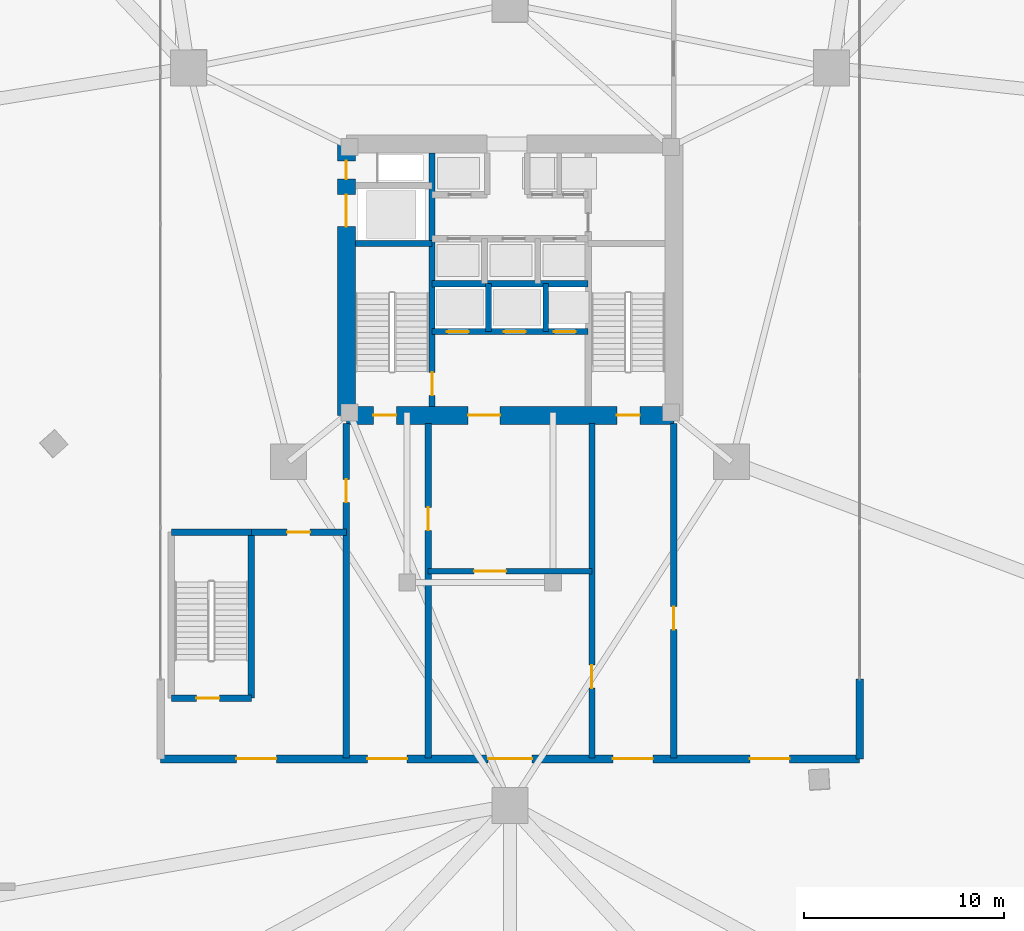
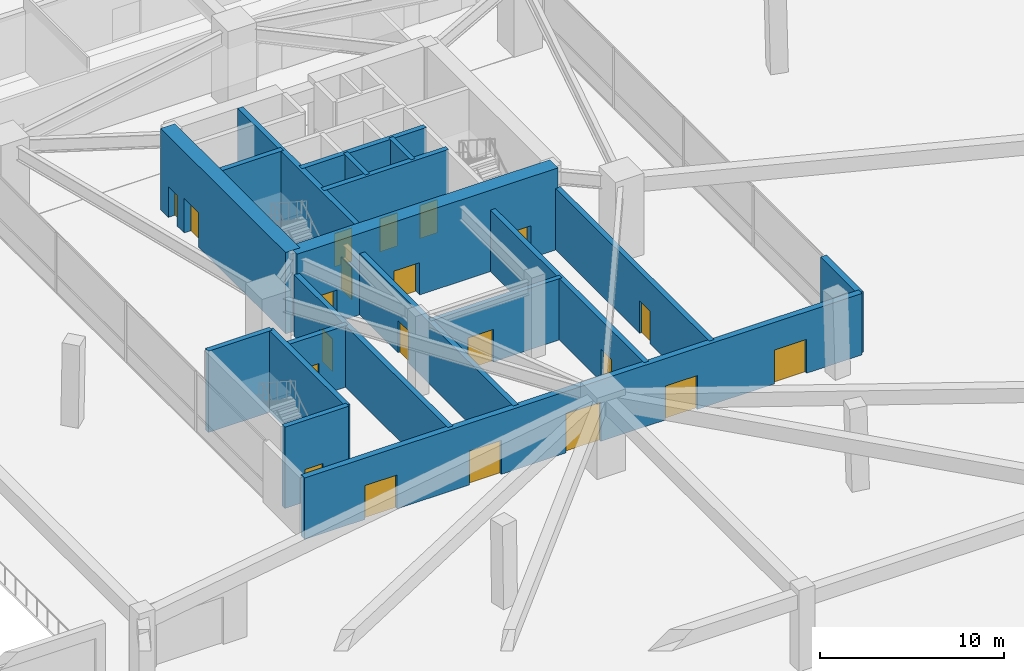
# One storey, part 12 of 19: 21 doors, 19 walls, 21 openings.
"""IFC4 building model written with IfcOpenShell, lengths in metres."""

from ifc_helpers import new_model, si_unit, direction, frame, frame_2d, origin, place, context, subcontext, project, spatial, rectangle, extrude, material, layer, layer_set, type_object, element, fill, save


model = new_model("IFC4")

# Units and contexts
model_context = context("Model", 3, precision=1e-05, world=origin(), true_north=direction((0.0, 1.0)))
body_context = subcontext(model_context, "Body", "Model", "MODEL_VIEW")
ifc_project = project(units=[si_unit("LENGTHUNIT", "METRE"), si_unit("AREAUNIT", "SQUARE_METRE"), si_unit("VOLUMEUNIT", "CUBIC_METRE"), si_unit("PLANEANGLEUNIT", "RADIAN"), si_unit("MASSUNIT", "GRAM", prefix="KILO")], contexts=[model_context])

# Site, building, storey
site_placement = place(None, origin())
site = spatial("IfcSite", under=ifc_project, at=site_placement, CompositionType="ELEMENT")
building_placement = place(site_placement, origin())
building = spatial("IfcBuilding", under=site, at=building_placement, Name="Talyreon Biosciences Tower", CompositionType="ELEMENT")
storey_placement = place(building_placement, origin())
storey = spatial("IfcBuildingStorey", under=building, at=storey_placement, Name="L00", CompositionType="ELEMENT", Elevation=0.0)

# Walls
ifc_material_1 = material(Name="Concrete C50/60", Category="concrete")
ifc_layer_1 = layer(ifc_material_1, 0.280029296875)
ifc_layer_set_1 = layer_set([ifc_layer_1], Name="Concrete C50/60")
wall_type_1 = type_object("IfcWallType", Name="CoreShearWall_280", PredefinedType="SHEAR", material=ifc_layer_set_1)
for number, where, z_axis, x_axis, name in (
    (1, (64.919921875, 65.39990234375, 0.0), (0.0, 0.0, 1.0), (0.0, 1.0, 0.0), "L00 Core Shaft Wall SWSHD1"),
    (2, (67.780029296875, 65.39990234375, 0.0), (0.0, 0.0, 1.0), (0.0, 1.0, 0.0), "L00 Core Shaft Wall SWSHD2"),
):
    element("IfcWall", number, at=place(storey_placement, frame(where, z_axis=z_axis, x_axis=x_axis)), inside=storey, type_object=wall_type_1, Name=name, PredefinedType="SHEAR", context=body_context, shape_type="SweptSolid", body=[
        extrude(rectangle(XDim=2.400146484375, YDim=0.280029296875, at=frame_2d((1.2001953125, 0.0))), origin(), (0.0, 0.0, 1.0), 5.39990234375),
    ])

# Wall, opening, door
ifc_layer_2 = layer(ifc_material_1, 0.320068359375)
ifc_layer_set_2 = layer_set([ifc_layer_2], Name="Concrete C50/60")
wall_type_2 = type_object("IfcWallType", Name="CoreShearWall_320", PredefinedType="SHEAR", material=ifc_layer_set_2)
wall_1_placement = place(storey_placement, frame((62.090087890625, 61.64990234375, 0.0), z_axis=(0.0, 0.0, 1.0), x_axis=(0.0, 1.0, 0.0)))
wall_1 = element("IfcWall", 3, at=wall_1_placement, inside=storey, type_object=wall_type_2, Name="L00 Core Shaft Wall SW1E", PredefinedType="SHEAR", context=body_context, shape_type="SweptSolid", body=[
    extrude(rectangle(XDim=12.7001953125, YDim=0.320068359375, at=frame_2d((6.35009765625, 0.0))), origin(), (0.0, 0.0, 1.0), 5.39990234375),
])
opening_1_placement = place(wall_1_placement, frame((0.550048828125, 0.0, 0.0)))
opening_1 = element("IfcOpeningElement", 4, at=opening_1_placement, cuts=wall_1, Name="Opening DR-L00-FF-ST1", PredefinedType="OPENING", context=body_context, shape_type="SweptSolid", body=[
    extrude(rectangle(XDim=1.14990234375, YDim=2.14990234375, at=frame_2d((0.574951171875, 1.074951171875))), frame((0.0, 0.169921875, 0.0), z_axis=(0.0, -1.0, 0.0), x_axis=(1.0, 0.0, 0.0)), (0.0, 0.0, 1.0), 0.340087890625),
])
ifc_material_2 = material(Name="Painted steel fire door", Category="steel")
door_type_1 = type_object("IfcDoorType", Name="StairShaftFireDoor_1150x2150", OperationType="NOTDEFINED", PredefinedType="DOOR", material=ifc_material_2)
door_1_placement = place(opening_1_placement, origin())
door_1 = element("IfcDoor", 5, at=door_1_placement, inside=storey, type_object=door_type_1, Name="L00 Core Door DR-L00-FF-ST1", OperationType="SINGLE_SWING_LEFT", OverallHeight=2.14990234375, OverallWidth=1.14990234375, PredefinedType="DOOR", context=body_context, shape_type="SweptSolid", body=[
    extrude(rectangle(XDim=1.14990234375, YDim=2.14990234375, at=frame_2d((0.574951171875, 1.074951171875))), frame((0.0, 0.02490234375, 0.0), z_axis=(0.0, -1.0, 0.0), x_axis=(1.0, 0.0, 0.0)), (0.0, 0.0, 1.0), 0.050048828125),
])
fill(opening_1, door_1)

# Walls
wall_2_placement = place(storey_placement, frame((58.25, 69.81005859375, 0.0), z_axis=(0.0, 0.0, 1.0), x_axis=(1.0, 0.0, 0.0)))
element("IfcWall", 6, at=wall_2_placement, inside=storey, type_object=wall_type_2, Name="L00 Core Shaft Wall SW1N", PredefinedType="SHEAR", context=body_context, shape_type="SweptSolid", body=[
    extrude(rectangle(XDim=3.840087890625, YDim=0.320068359375, at=frame_2d((1.919921875, 0.0))), origin(), (0.0, 0.0, 1.0), 5.39990234375),
])
wall_3_placement = place(storey_placement, frame((62.090087890625, 67.800048828125, 0.0), z_axis=(0.0, 0.0, 1.0), x_axis=(1.0, 0.0, 0.0)))
element("IfcWall", 7, at=wall_3_placement, inside=storey, type_object=wall_type_2, Name="L00 Core Shaft Wall SWSHM", PredefinedType="SHEAR", context=body_context, shape_type="SweptSolid", body=[
    extrude(rectangle(XDim=7.81982421875, YDim=0.320068359375, at=frame_2d((3.909912109375, 0.0))), origin(), (0.0, 0.0, 1.0), 5.39990234375),
])

# Wall, openings, doors
wall_4_placement = place(storey_placement, frame((62.090087890625, 65.39990234375, 0.0), z_axis=(0.0, 0.0, 1.0), x_axis=(1.0, 0.0, 0.0)))
wall_4 = element("IfcWall", 8, at=wall_4_placement, inside=storey, type_object=wall_type_2, Name="L00 Core Shaft Wall SWFFN", PredefinedType="SHEAR", context=body_context, shape_type="SweptSolid", body=[
    extrude(rectangle(XDim=7.81982421875, YDim=0.320068359375, at=frame_2d((3.909912109375, 0.0))), origin(), (0.0, 0.0, 1.0), 5.39990234375),
])
opening_2_placement = place(wall_4_placement, frame((6.10009765625, 0.0, 0.0)))
opening_2 = element("IfcOpeningElement", 9, at=opening_2_placement, cuts=wall_4, Name="Opening LD-L00-PK1", PredefinedType="OPENING", context=body_context, shape_type="SweptSolid", body=[
    extrude(rectangle(XDim=1.10009765625, YDim=2.199951171875, at=frame_2d((0.550048828125, 1.10009765625))), frame((0.0, 0.169921875, 0.0), z_axis=(0.0, -1.0, 0.0), x_axis=(1.0, 0.0, 0.0)), (0.0, 0.0, 1.0), 0.340087890625),
])
opening_3_placement = place(wall_4_placement, frame((0.75, 0.0, 0.0)))
opening_3 = element("IfcOpeningElement", 10, at=opening_3_placement, cuts=wall_4, Name="Opening LD-L00-FL1", PredefinedType="OPENING", context=body_context, shape_type="SweptSolid", body=[
    extrude(rectangle(XDim=1.10009765625, YDim=2.199951171875, at=frame_2d((0.550048828125, 1.10009765625))), frame((0.0, 0.169921875, 0.0), z_axis=(0.0, -1.0, 0.0), x_axis=(1.0, 0.0, 0.0)), (0.0, 0.0, 1.0), 0.340087890625),
])
opening_4_placement = place(wall_4_placement, frame((3.60009765625, 0.0, 0.0)))
opening_4 = element("IfcOpeningElement", 11, at=opening_4_placement, cuts=wall_4, Name="Opening LD-L00-FL2", PredefinedType="OPENING", context=body_context, shape_type="SweptSolid", body=[
    extrude(rectangle(XDim=1.10009765625, YDim=2.199951171875, at=frame_2d((0.550048828125, 1.10009765625))), frame((0.0, 0.169921875, 0.0), z_axis=(0.0, -1.0, 0.0), x_axis=(1.0, 0.0, 0.0)), (0.0, 0.0, 1.0), 0.340087890625),
])
ifc_material_3 = material(Name="Brushed stainless-steel lift landing door", Category="steel")
door_type_2 = type_object("IfcDoorType", Name="LiftSlidingLandingDoor_1100x2200", OperationType="SLIDING_TO_LEFT", PredefinedType="DOOR", material=ifc_material_3)
door_2_placement = place(opening_2_placement, origin())
door_2 = element("IfcDoor", 12, at=door_2_placement, inside=storey, type_object=door_type_2, Name="L00 Core Door LD-L00-PK1", OperationType="SLIDING_TO_LEFT", OverallHeight=2.199951171875, OverallWidth=1.10009765625, PredefinedType="DOOR", context=body_context, shape_type="SweptSolid", body=[
    extrude(rectangle(XDim=1.10009765625, YDim=2.199951171875, at=frame_2d((0.550048828125, 1.10009765625))), frame((0.0, 0.02490234375, 0.0), z_axis=(0.0, -1.0, 0.0), x_axis=(1.0, 0.0, 0.0)), (0.0, 0.0, 1.0), 0.050048828125),
])
fill(opening_2, door_2)
door_3_placement = place(opening_3_placement, origin())
door_3 = element("IfcDoor", 13, at=door_3_placement, inside=storey, type_object=door_type_2, Name="L00 Core Door LD-L00-FL1", OperationType="SLIDING_TO_LEFT", OverallHeight=2.199951171875, OverallWidth=1.10009765625, PredefinedType="DOOR", context=body_context, shape_type="SweptSolid", body=[
    extrude(rectangle(XDim=1.10009765625, YDim=2.199951171875, at=frame_2d((0.550048828125, 1.10009765625))), frame((0.0, 0.02490234375, 0.0), z_axis=(0.0, -1.0, 0.0), x_axis=(1.0, 0.0, 0.0)), (0.0, 0.0, 1.0), 0.050048828125),
])
fill(opening_3, door_3)
door_4_placement = place(opening_4_placement, origin())
door_4 = element("IfcDoor", 14, at=door_4_placement, inside=storey, type_object=door_type_2, Name="L00 Core Door LD-L00-FL2", OperationType="SLIDING_TO_LEFT", OverallHeight=2.199951171875, OverallWidth=1.10009765625, PredefinedType="DOOR", context=body_context, shape_type="SweptSolid", body=[
    extrude(rectangle(XDim=1.10009765625, YDim=2.199951171875, at=frame_2d((0.550048828125, 1.10009765625))), frame((0.0, 0.02490234375, 0.0), z_axis=(0.0, -1.0, 0.0), x_axis=(1.0, 0.0, 0.0)), (0.0, 0.0, 1.0), 0.050048828125),
])
fill(opening_4, door_4)

# Walls
wall_5_placement = place(storey_placement, frame((53.0400390625, 47.0400390625, 0.0), z_axis=(0.0, 0.0, 1.0), x_axis=(0.0, 1.0, 0.0)))
element("IfcWall", 15, at=wall_5_placement, inside=storey, type_object=wall_type_2, Name="L00 Stair ST-3 Structural Wall E", PredefinedType="SHEAR", context=body_context, shape_type="SweptSolid", body=[
    extrude(rectangle(XDim=8.320068359375, YDim=0.320068359375, at=frame_2d((4.16015625, 0.0))), origin(), (0.0, 0.0, 1.0), 5.39990234375),
])
wall_6_placement = place(storey_placement, frame((49.0400390625, 55.360107421875, 0.0), z_axis=(0.0, 0.0, 1.0), x_axis=(1.0, 0.0, 0.0)))
element("IfcWall", 16, at=wall_6_placement, inside=storey, type_object=wall_type_2, Name="L00 Stair ST-3 Structural Wall N", PredefinedType="SHEAR", context=body_context, shape_type="SweptSolid", body=[
    extrude(rectangle(XDim=4.0, YDim=0.320068359375, at=frame_2d((2.0, 0.0))), origin(), (0.0, 0.0, 1.0), 5.39990234375),
])

# Wall, opening, door
wall_7_placement = place(storey_placement, frame((49.0400390625, 47.0400390625, 0.0), z_axis=(0.0, 0.0, 1.0), x_axis=(1.0, 0.0, 0.0)))
wall_7 = element("IfcWall", 17, at=wall_7_placement, inside=storey, type_object=wall_type_2, Name="L00 Stair ST-3 Structural Wall S", PredefinedType="SHEAR", context=body_context, shape_type="SweptSolid", body=[
    extrude(rectangle(XDim=4.0, YDim=0.320068359375, at=frame_2d((2.0, 0.0))), origin(), (0.0, 0.0, 1.0), 5.39990234375),
])
opening_5_placement = place(wall_7_placement, frame((1.25, 0.0, 0.0)))
opening_5 = element("IfcOpeningElement", 18, at=opening_5_placement, cuts=wall_7, Name="Opening DR-L00-ST3", PredefinedType="OPENING", context=body_context, shape_type="SweptSolid", body=[
    extrude(rectangle(XDim=1.14990234375, YDim=2.14990234375, at=frame_2d((0.574951171875, 1.074951171875))), frame((0.0, 0.169921875, 0.0), z_axis=(0.0, -1.0, 0.0), x_axis=(1.0, 0.0, 0.0)), (0.0, 0.0, 1.0), 0.340087890625),
])
door_5_placement = place(opening_5_placement, origin())
door_5 = element("IfcDoor", 19, at=door_5_placement, inside=storey, type_object=door_type_1, Name="L00 Core Door DR-L00-ST3", OperationType="SINGLE_SWING_LEFT", OverallHeight=2.14990234375, OverallWidth=1.14990234375, PredefinedType="DOOR", context=body_context, shape_type="SweptSolid", body=[
    extrude(rectangle(XDim=1.14990234375, YDim=2.14990234375, at=frame_2d((0.574951171875, 1.074951171875))), frame((0.0, 0.02490234375, 0.0), z_axis=(0.0, -1.0, 0.0), x_axis=(1.0, 0.0, 0.0)), (0.0, 0.0, 1.0), 0.050048828125),
])
fill(opening_5, door_5)

# Wall, openings, doors
ifc_material_4 = material(Name="Concrete C60/75", Category="concrete")
ifc_layer_3 = layer(ifc_material_4, 0.89990234375)
ifc_layer_set_3 = layer_set([ifc_layer_3], Name="Concrete C60/75")
wall_type_3 = type_object("IfcWallType", Name="CoreShearWall_900", PredefinedType="SHEAR", material=ifc_layer_set_3)
wall_8_placement = place(storey_placement, frame((57.800048828125, 61.199951171875, 0.0), z_axis=(0.0, 0.0, 1.0), x_axis=(1.0, 0.0, 0.0)))
wall_8 = element("IfcWall", 20, at=wall_8_placement, inside=storey, type_object=wall_type_3, Name="L00 Core Shear Wall S", PredefinedType="SHEAR", context=body_context, shape_type="SweptSolid", body=[
    extrude(rectangle(XDim=16.39990234375, YDim=0.89990234375, at=frame_2d((8.199951171875, 0.0))), origin(), (0.0, 0.0, 1.0), 5.39990234375),
])
opening_6_placement = place(wall_8_placement, frame((1.35009765625, 0.0, 0.0)))
opening_6 = element("IfcOpeningElement", 21, at=opening_6_placement, cuts=wall_8, Name="Opening DR-L00-ST1", PredefinedType="OPENING", context=body_context, shape_type="SweptSolid", body=[
    extrude(rectangle(XDim=1.14990234375, YDim=2.14990234375, at=frame_2d((0.574951171875, 1.074951171875))), frame((0.0, 0.4599609375, 0.0), z_axis=(0.0, -1.0, 0.0), x_axis=(1.0, 0.0, 0.0)), (0.0, 0.0, 1.0), 0.919921875),
])
opening_7_placement = place(wall_8_placement, frame((6.10009765625, 0.0, 0.0)))
opening_7 = element("IfcOpeningElement", 22, at=opening_7_placement, cuts=wall_8, Name="Opening DR-L00-FFL", PredefinedType="OPENING", context=body_context, shape_type="SweptSolid", body=[
    extrude(rectangle(XDim=1.60009765625, YDim=2.14990234375, at=frame_2d((0.800048828125, 1.074951171875))), frame((0.0, 0.4599609375, 0.0), z_axis=(0.0, -1.0, 0.0), x_axis=(1.0, 0.0, 0.0)), (0.0, 0.0, 1.0), 0.919921875),
])
opening_8_placement = place(wall_8_placement, frame((13.550048828125, 0.0, 0.0)))
opening_8 = element("IfcOpeningElement", 23, at=opening_8_placement, cuts=wall_8, Name="Opening DR-L00-ST2", PredefinedType="OPENING", context=body_context, shape_type="SweptSolid", body=[
    extrude(rectangle(XDim=1.14990234375, YDim=2.14990234375, at=frame_2d((0.574951171875, 1.074951171875))), frame((0.0, 0.4599609375, 0.0), z_axis=(0.0, -1.0, 0.0), x_axis=(1.0, 0.0, 0.0)), (0.0, 0.0, 1.0), 0.919921875),
])
ifc_material_5 = material(Name="Painted steel smoke-seal fire door", Category="steel")
door_type_3 = type_object("IfcDoorType", Name="FirefightingLobbyDoubleDoor_1600x2150", OperationType="DOUBLE_DOOR_SINGLE_SWING", PredefinedType="DOOR", material=ifc_material_5)
door_6_placement = place(opening_7_placement, origin())
door_6 = element("IfcDoor", 24, at=door_6_placement, inside=storey, type_object=door_type_3, Name="L00 Core Door DR-L00-FFL", OperationType="DOUBLE_DOOR_SINGLE_SWING", OverallHeight=2.14990234375, OverallWidth=1.60009765625, PredefinedType="DOOR", context=body_context, shape_type="SweptSolid", body=[
    extrude(rectangle(XDim=1.60009765625, YDim=2.14990234375, at=frame_2d((0.800048828125, 1.074951171875))), frame((0.0, 0.02490234375, 0.0), z_axis=(0.0, -1.0, 0.0), x_axis=(1.0, 0.0, 0.0)), (0.0, 0.0, 1.0), 0.050048828125),
])
fill(opening_7, door_6)
door_7_placement = place(opening_6_placement, origin())
door_7 = element("IfcDoor", 25, at=door_7_placement, inside=storey, type_object=door_type_1, Name="L00 Core Door DR-L00-ST1", OperationType="SINGLE_SWING_LEFT", OverallHeight=2.14990234375, OverallWidth=1.14990234375, PredefinedType="DOOR", context=body_context, shape_type="SweptSolid", body=[
    extrude(rectangle(XDim=1.14990234375, YDim=2.14990234375, at=frame_2d((0.574951171875, 1.074951171875))), frame((0.0, 0.02490234375, 0.0), z_axis=(0.0, -1.0, 0.0), x_axis=(1.0, 0.0, 0.0)), (0.0, 0.0, 1.0), 0.050048828125),
])
fill(opening_6, door_7)
door_8_placement = place(opening_8_placement, origin())
door_8 = element("IfcDoor", 26, at=door_8_placement, inside=storey, type_object=door_type_1, Name="L00 Core Door DR-L00-ST2", OperationType="SINGLE_SWING_RIGHT", OverallHeight=2.14990234375, OverallWidth=1.14990234375, PredefinedType="DOOR", context=body_context, shape_type="SweptSolid", body=[
    extrude(rectangle(XDim=1.14990234375, YDim=2.14990234375, at=frame_2d((0.574951171875, 1.074951171875))), frame((0.0, 0.02490234375, 0.0), z_axis=(0.0, -1.0, 0.0), x_axis=(1.0, 0.0, 0.0)), (0.0, 0.0, 1.0), 0.050048828125),
])
fill(opening_8, door_8)

wall_9_placement = place(storey_placement, frame((57.800048828125, 74.800048828125, 0.0), z_axis=(0.0, 0.0, 1.0), x_axis=(0.0, -1.0, 0.0)))
wall_9 = element("IfcWall", 27, at=wall_9_placement, inside=storey, type_object=wall_type_3, Name="L00 Core Shear Wall W", PredefinedType="SHEAR", context=body_context, shape_type="SweptSolid", body=[
    extrude(rectangle(XDim=13.60009765625, YDim=0.89990234375, at=frame_2d((6.800048828125, 0.0))), origin(), (0.0, 0.0, 1.0), 5.39990234375),
])
opening_9_placement = place(wall_9_placement, frame((0.85009765625, 0.0, 0.0)))
opening_9 = element("IfcOpeningElement", 28, at=opening_9_placement, cuts=wall_9, Name="Opening DR-L00-RSW", PredefinedType="OPENING", context=body_context, shape_type="SweptSolid", body=[
    extrude(rectangle(XDim=0.919921875, YDim=2.050048828125, at=frame_2d((0.4599609375, 1.02490234375))), frame((0.0, 0.4599609375, 0.0), z_axis=(0.0, -1.0, 0.0), x_axis=(1.0, 0.0, 0.0)), (0.0, 0.0, 1.0), 0.919921875),
])
opening_10_placement = place(wall_9_placement, frame((2.550048828125, 0.0, 0.0)))
opening_10 = element("IfcOpeningElement", 29, at=opening_10_placement, cuts=wall_9, Name="Opening LD-L00-GL1", PredefinedType="OPENING", context=body_context, shape_type="SweptSolid", body=[
    extrude(rectangle(XDim=1.60009765625, YDim=2.300048828125, at=frame_2d((0.800048828125, 1.14990234375))), frame((0.0, 0.4599609375, 0.0), z_axis=(0.0, -1.0, 0.0), x_axis=(1.0, 0.0, 0.0)), (0.0, 0.0, 1.0), 0.919921875),
])
ifc_material_6 = material(Name="Heavy-duty stainless-steel goods lift door", Category="steel")
door_type_4 = type_object("IfcDoorType", Name="GoodsLiftSlidingDoor_1600x2300", OperationType="DOUBLE_DOOR_SLIDING", PredefinedType="DOOR", material=ifc_material_6)
door_9_placement = place(opening_10_placement, origin())
door_9 = element("IfcDoor", 30, at=door_9_placement, inside=storey, type_object=door_type_4, Name="L00 Core Door LD-L00-GL1", OperationType="DOUBLE_DOOR_SLIDING", OverallHeight=2.300048828125, OverallWidth=1.60009765625, PredefinedType="DOOR", context=body_context, shape_type="SweptSolid", body=[
    extrude(rectangle(XDim=1.60009765625, YDim=2.300048828125, at=frame_2d((0.800048828125, 1.14990234375))), frame((0.0, 0.02490234375, 0.0), z_axis=(0.0, -1.0, 0.0), x_axis=(1.0, 0.0, 0.0)), (0.0, 0.0, 1.0), 0.050048828125),
])
fill(opening_10, door_9)
ifc_material_7 = material(Name="Painted steel fire-rated riser door", Category="steel")
door_type_5 = type_object("IfcDoorType", Name="RiserPlantAccessDoor_920x2050", OperationType="NOTDEFINED", PredefinedType="DOOR", material=ifc_material_7)
door_10_placement = place(opening_9_placement, origin())
door_10 = element("IfcDoor", 31, at=door_10_placement, inside=storey, type_object=door_type_5, Name="L00 Core Door DR-L00-RSW", OperationType="SINGLE_SWING_LEFT", OverallHeight=2.050048828125, OverallWidth=0.919921875, PredefinedType="DOOR", context=body_context, shape_type="SweptSolid", body=[
    extrude(rectangle(XDim=0.919921875, YDim=2.050048828125, at=frame_2d((0.4599609375, 1.02490234375))), frame((0.0, 0.02490234375, 0.0), z_axis=(0.0, -1.0, 0.0), x_axis=(1.0, 0.0, 0.0)), (0.0, 0.0, 1.0), 0.050048828125),
])
fill(opening_9, door_10)

# Wall, opening, door
ifc_material_8 = material(Name="Concrete C40/50", Category="concrete")
ifc_layer_4 = layer(ifc_material_8, 0.280029296875)
ifc_layer_set_4 = layer_set([ifc_layer_4], Name="Concrete C40/50")
wall_type_4 = type_object("IfcWallType", Name="FireLobbyWall_280", PredefinedType="STANDARD", material=ifc_layer_set_4)
wall_10_placement = place(storey_placement, frame((61.89990234375, 53.39990234375, 0.0), z_axis=(0.0, 0.0, 1.0), x_axis=(1.0, 0.0, 0.0)))
wall_10 = element("IfcWall", 32, at=wall_10_placement, inside=storey, type_object=wall_type_4, Name="L00 Interior Wall IW-L00-FCC-S", PredefinedType="STANDARD", context=body_context, shape_type="SweptSolid", body=[
    extrude(rectangle(XDim=8.2001953125, YDim=0.280029296875, at=frame_2d((4.10009765625, 0.0))), origin(), (0.0, 0.0, 1.0), 4.080078125),
])
opening_11_placement = place(wall_10_placement, frame((2.300048828125, 0.0, 0.0)))
opening_11 = element("IfcOpeningElement", 33, at=opening_11_placement, cuts=wall_10, Name="Opening DR-L00-FCC-S", PredefinedType="OPENING", context=body_context, shape_type="SweptSolid", body=[
    extrude(rectangle(XDim=1.60009765625, YDim=2.14990234375, at=frame_2d((0.800048828125, 1.074951171875))), frame((0.0, 0.14990234375, 0.0), z_axis=(0.0, -1.0, 0.0), x_axis=(1.0, 0.0, 0.0)), (0.0, 0.0, 1.0), 0.300048828125),
])
door_11_placement = place(opening_11_placement, origin())
door_11 = element("IfcDoor", 34, at=door_11_placement, inside=storey, type_object=door_type_3, Name="L00 Interior Door DR-L00-FCC-S", OperationType="DOUBLE_DOOR_SINGLE_SWING", OverallHeight=2.14990234375, OverallWidth=1.60009765625, PredefinedType="DOOR", context=body_context, shape_type="SweptSolid", body=[
    extrude(rectangle(XDim=1.60009765625, YDim=2.14990234375, at=frame_2d((0.800048828125, 1.074951171875))), frame((0.0, 0.02490234375, 0.0), z_axis=(0.0, -1.0, 0.0), x_axis=(1.0, 0.0, 0.0)), (0.0, 0.0, 1.0), 0.050048828125),
])
fill(opening_11, door_11)

# Wall, openings, doors
ifc_material_9 = material(Name="Precast concrete C45/55", Category="concrete")
ifc_layer_5 = layer(ifc_material_9, 0.3798828125)
ifc_layer_set_5 = layer_set([ifc_layer_5], Name="Precast concrete C45/55")
wall_type_5 = type_object("IfcWallType", Name="PrecastConcretePodiumWall_380", PredefinedType="STANDARD", material=ifc_layer_set_5)
wall_11_placement = place(storey_placement, frame((83.5, 44.0, 0.0), z_axis=(0.0, 0.0, 1.0), x_axis=(-1.0, 0.0, 0.0)))
wall_11 = element("IfcWall", 35, at=wall_11_placement, inside=storey, type_object=wall_type_5, Name="L00 South Pavilion Wall", PredefinedType="STANDARD", context=body_context, shape_type="SweptSolid", body=[
    extrude(rectangle(XDim=35.0, YDim=0.3798828125, at=frame_2d((17.5, 0.0))), origin(), (0.0, 0.0, 1.0), 4.080078125),
])
opening_12_placement = place(wall_11_placement, frame((3.5, 0.0, 0.0)))
opening_12 = element("IfcOpeningElement", 36, at=opening_12_placement, cuts=wall_11, Name="Opening D-E04", PredefinedType="OPENING", context=body_context, shape_type="SweptSolid", body=[
    extrude(rectangle(XDim=2.0, YDim=2.25, at=frame_2d((1.0, 1.125))), frame((0.0, 0.199951171875, 0.0), z_axis=(0.0, -1.0, 0.0), x_axis=(1.0, 0.0, 0.0)), (0.0, 0.0, 1.0), 0.39990234375),
])
opening_13_placement = place(wall_11_placement, frame((10.35009765625, 0.0, 0.0)))
opening_13 = element("IfcOpeningElement", 37, at=opening_13_placement, cuts=wall_11, Name="Opening D-E02", PredefinedType="OPENING", context=body_context, shape_type="SweptSolid", body=[
    extrude(rectangle(XDim=2.0, YDim=2.25, at=frame_2d((1.0, 1.125))), frame((0.0, 0.199951171875, 0.0), z_axis=(0.0, -1.0, 0.0), x_axis=(1.0, 0.0, 0.0)), (0.0, 0.0, 1.0), 0.39990234375),
])
opening_14_placement = place(wall_11_placement, frame((16.39990234375, 0.0, 0.0)))
opening_14 = element("IfcOpeningElement", 38, at=opening_14_placement, cuts=wall_11, Name="Opening D-E05", PredefinedType="OPENING", context=body_context, shape_type="SweptSolid", body=[
    extrude(rectangle(XDim=2.199951171875, YDim=2.60009765625, at=frame_2d((1.10009765625, 1.300048828125))), frame((0.0, 0.199951171875, 0.0), z_axis=(0.0, -1.0, 0.0), x_axis=(1.0, 0.0, 0.0)), (0.0, 0.0, 1.0), 0.39990234375),
])
opening_15_placement = place(wall_11_placement, frame((22.64990234375, 0.0, 0.0)))
opening_15 = element("IfcOpeningElement", 39, at=opening_15_placement, cuts=wall_11, Name="Opening D-E01", PredefinedType="OPENING", context=body_context, shape_type="SweptSolid", body=[
    extrude(rectangle(XDim=2.0, YDim=2.25, at=frame_2d((1.0, 1.125))), frame((0.0, 0.199951171875, 0.0), z_axis=(0.0, -1.0, 0.0), x_axis=(1.0, 0.0, 0.0)), (0.0, 0.0, 1.0), 0.39990234375),
])
opening_16_placement = place(wall_11_placement, frame((29.199951171875, 0.0, 0.0)))
opening_16 = element("IfcOpeningElement", 40, at=opening_16_placement, cuts=wall_11, Name="Opening D-E03", PredefinedType="OPENING", context=body_context, shape_type="SweptSolid", body=[
    extrude(rectangle(XDim=2.0, YDim=2.25, at=frame_2d((1.0, 1.125))), frame((0.0, 0.199951171875, 0.0), z_axis=(0.0, -1.0, 0.0), x_axis=(1.0, 0.0, 0.0)), (0.0, 0.0, 1.0), 0.39990234375),
])
ifc_material_10 = material(Name="Insulated painted steel exit door", Category="steel")
door_type_6 = type_object("IfcDoorType", Name="ExteriorExitDoubleDoor_2000x2250", OperationType="DOUBLE_DOOR_SINGLE_SWING", PredefinedType="DOOR", material=ifc_material_10)
door_12_placement = place(opening_12_placement, origin())
door_12 = element("IfcDoor", 41, at=door_12_placement, inside=storey, type_object=door_type_6, Name="L00 Final Exit Door D-E04", OperationType="DOUBLE_DOOR_SINGLE_SWING", OverallHeight=2.25, OverallWidth=2.0, PredefinedType="DOOR", context=body_context, shape_type="SweptSolid", body=[
    extrude(rectangle(XDim=2.0, YDim=2.25, at=frame_2d((1.0, 1.125))), frame((0.0, 0.02490234375, 0.0), z_axis=(0.0, -1.0, 0.0), x_axis=(1.0, 0.0, 0.0)), (0.0, 0.0, 1.0), 0.050048828125),
])
fill(opening_12, door_12)
door_13_placement = place(opening_13_placement, origin())
door_13 = element("IfcDoor", 42, at=door_13_placement, inside=storey, type_object=door_type_6, Name="L00 Final Exit Door D-E02", OperationType="DOUBLE_DOOR_SINGLE_SWING", OverallHeight=2.25, OverallWidth=2.0, PredefinedType="DOOR", context=body_context, shape_type="SweptSolid", body=[
    extrude(rectangle(XDim=2.0, YDim=2.25, at=frame_2d((1.0, 1.125))), frame((0.0, 0.02490234375, 0.0), z_axis=(0.0, -1.0, 0.0), x_axis=(1.0, 0.0, 0.0)), (0.0, 0.0, 1.0), 0.050048828125),
])
fill(opening_13, door_13)
door_14_placement = place(opening_15_placement, origin())
door_14 = element("IfcDoor", 43, at=door_14_placement, inside=storey, type_object=door_type_6, Name="L00 Final Exit Door D-E01", OperationType="DOUBLE_DOOR_SINGLE_SWING", OverallHeight=2.25, OverallWidth=2.0, PredefinedType="DOOR", context=body_context, shape_type="SweptSolid", body=[
    extrude(rectangle(XDim=2.0, YDim=2.25, at=frame_2d((1.0, 1.125))), frame((0.0, 0.02490234375, 0.0), z_axis=(0.0, -1.0, 0.0), x_axis=(1.0, 0.0, 0.0)), (0.0, 0.0, 1.0), 0.050048828125),
])
fill(opening_15, door_14)
door_15_placement = place(opening_16_placement, origin())
door_15 = element("IfcDoor", 44, at=door_15_placement, inside=storey, type_object=door_type_6, Name="L00 Final Exit Door D-E03", OperationType="DOUBLE_DOOR_SINGLE_SWING", OverallHeight=2.25, OverallWidth=2.0, PredefinedType="DOOR", context=body_context, shape_type="SweptSolid", body=[
    extrude(rectangle(XDim=2.0, YDim=2.25, at=frame_2d((1.0, 1.125))), frame((0.0, 0.02490234375, 0.0), z_axis=(0.0, -1.0, 0.0), x_axis=(1.0, 0.0, 0.0)), (0.0, 0.0, 1.0), 0.050048828125),
])
fill(opening_16, door_15)
ifc_material_11 = material(Name="Thermally broken glazed aluminium door", Category="aluminium")
door_type_7 = type_object("IfcDoorType", Name="MainEntranceDoubleGlazedDoor_2200x2600", OperationType="DOUBLE_DOOR_SINGLE_SWING", PredefinedType="DOOR", material=ifc_material_11)
door_16_placement = place(opening_14_placement, origin())
door_16 = element("IfcDoor", 45, at=door_16_placement, inside=storey, type_object=door_type_7, Name="L00 Final Exit Door D-E05", OperationType="DOUBLE_DOOR_SINGLE_SWING", OverallHeight=2.60009765625, OverallWidth=2.199951171875, PredefinedType="DOOR", context=body_context, shape_type="SweptSolid", body=[
    extrude(rectangle(XDim=2.199951171875, YDim=2.60009765625, at=frame_2d((1.10009765625, 1.300048828125))), frame((0.0, 0.02490234375, 0.0), z_axis=(0.0, -1.0, 0.0), x_axis=(1.0, 0.0, 0.0)), (0.0, 0.0, 1.0), 0.050048828125),
])
fill(opening_14, door_16)

# Wall
wall_12_placement = place(storey_placement, frame((83.5, 48.0, 0.0), z_axis=(0.0, 0.0, 1.0), x_axis=(0.0, -1.0, 0.0)))
element("IfcWall", 46, at=wall_12_placement, inside=storey, type_object=wall_type_5, Name="L00 Corner Pier EB", PredefinedType="STANDARD", context=body_context, shape_type="SweptSolid", body=[
    extrude(rectangle(XDim=4.0, YDim=0.3798828125, at=frame_2d((2.0, 0.0))), origin(), (0.0, 0.0, 1.0), 4.030029296875),
])

# Wall, opening, door
ifc_layer_6 = layer(ifc_material_8, 0.320068359375)
ifc_layer_set_6 = layer_set([ifc_layer_6], Name="Concrete C40/50")
wall_type_6 = type_object("IfcWallType", Name="ShaftCompartmentWall_320", PredefinedType="STANDARD", material=ifc_layer_set_6)
wall_13_placement = place(storey_placement, frame((53.0400390625, 55.360107421875, 0.0), z_axis=(0.0, 0.0, 1.0), x_axis=(1.0, 0.0, 0.0)))
wall_13 = element("IfcWall", 47, at=wall_13_placement, inside=storey, type_object=wall_type_6, Name="L00 Interior Wall IW-L00-EXP3N", PredefinedType="STANDARD", context=body_context, shape_type="SweptSolid", body=[
    extrude(rectangle(XDim=4.760009765625, YDim=0.320068359375, at=frame_2d((2.3798828125, 0.0))), origin(), (0.0, 0.0, 1.0), 4.080078125),
])
opening_17_placement = place(wall_13_placement, frame((1.800048828125, 0.0, 0.0)))
opening_17 = element("IfcOpeningElement", 48, at=opening_17_placement, cuts=wall_13, Name="Opening DR-L00-EXP3-IN", PredefinedType="OPENING", context=body_context, shape_type="SweptSolid", body=[
    extrude(rectangle(XDim=1.14990234375, YDim=2.14990234375, at=frame_2d((0.574951171875, 1.074951171875))), frame((0.0, 0.169921875, 0.0), z_axis=(0.0, -1.0, 0.0), x_axis=(1.0, 0.0, 0.0)), (0.0, 0.0, 1.0), 0.340087890625),
])
door_17_placement = place(opening_17_placement, origin())
door_17 = element("IfcDoor", 49, at=door_17_placement, inside=storey, type_object=door_type_1, Name="L00 Interior Door DR-L00-EXP3-IN", OperationType="SINGLE_SWING_LEFT", OverallHeight=2.14990234375, OverallWidth=1.14990234375, PredefinedType="DOOR", context=body_context, shape_type="SweptSolid", body=[
    extrude(rectangle(XDim=1.14990234375, YDim=2.14990234375, at=frame_2d((0.574951171875, 1.074951171875))), frame((0.0, 0.02490234375, 0.0), z_axis=(0.0, -1.0, 0.0), x_axis=(1.0, 0.0, 0.0)), (0.0, 0.0, 1.0), 0.050048828125),
])
fill(opening_17, door_17)

wall_14_placement = place(storey_placement, frame((57.800048828125, 44.050048828125, 0.0), z_axis=(0.0, 0.0, 1.0), x_axis=(0.0, 1.0, 0.0)))
wall_14 = element("IfcWall", 50, at=wall_14_placement, inside=storey, type_object=wall_type_6, Name="L00 Interior Wall IW-L00-EXP1W", PredefinedType="STANDARD", context=body_context, shape_type="SweptSolid", body=[
    extrude(rectangle(XDim=16.75, YDim=0.320068359375, at=frame_2d((8.375, 0.0))), origin(), (0.0, 0.0, 1.0), 4.080078125),
])
opening_18_placement = place(wall_14_placement, frame((12.800048828125, 0.0, 0.0)))
opening_18 = element("IfcOpeningElement", 51, at=opening_18_placement, cuts=wall_14, Name="Opening DR-L00-EXP1-IN", PredefinedType="OPENING", context=body_context, shape_type="SweptSolid", body=[
    extrude(rectangle(XDim=1.14990234375, YDim=2.14990234375, at=frame_2d((0.574951171875, 1.074951171875))), frame((0.0, 0.169921875, 0.0), z_axis=(0.0, -1.0, 0.0), x_axis=(1.0, 0.0, 0.0)), (0.0, 0.0, 1.0), 0.340087890625),
])
door_18_placement = place(opening_18_placement, origin())
door_18 = element("IfcDoor", 52, at=door_18_placement, inside=storey, type_object=door_type_1, Name="L00 Interior Door DR-L00-EXP1-IN", OperationType="SINGLE_SWING_RIGHT", OverallHeight=2.14990234375, OverallWidth=1.14990234375, PredefinedType="DOOR", context=body_context, shape_type="SweptSolid", body=[
    extrude(rectangle(XDim=1.14990234375, YDim=2.14990234375, at=frame_2d((0.574951171875, 1.074951171875))), frame((0.0, 0.02490234375, 0.0), z_axis=(0.0, -1.0, 0.0), x_axis=(1.0, 0.0, 0.0)), (0.0, 0.0, 1.0), 0.050048828125),
])
fill(opening_18, door_18)

wall_15_placement = place(storey_placement, frame((61.89990234375, 44.050048828125, 0.0), z_axis=(0.0, 0.0, 1.0), x_axis=(0.0, 1.0, 0.0)))
wall_15 = element("IfcWall", 53, at=wall_15_placement, inside=storey, type_object=wall_type_6, Name="L00 Interior Wall IW-L00-EXP1E", PredefinedType="STANDARD", context=body_context, shape_type="SweptSolid", body=[
    extrude(rectangle(XDim=16.75, YDim=0.320068359375, at=frame_2d((8.375, 0.0))), origin(), (0.0, 0.0, 1.0), 4.080078125),
])
opening_19_placement = place(wall_15_placement, frame((11.39990234375, 0.0, 0.0)))
opening_19 = element("IfcOpeningElement", 54, at=opening_19_placement, cuts=wall_15, Name="Opening DR-L00-FCC-EXP", PredefinedType="OPENING", context=body_context, shape_type="SweptSolid", body=[
    extrude(rectangle(XDim=1.14990234375, YDim=2.14990234375, at=frame_2d((0.574951171875, 1.074951171875))), frame((0.0, 0.169921875, 0.0), z_axis=(0.0, -1.0, 0.0), x_axis=(1.0, 0.0, 0.0)), (0.0, 0.0, 1.0), 0.340087890625),
])
door_19_placement = place(opening_19_placement, origin())
door_19 = element("IfcDoor", 55, at=door_19_placement, inside=storey, type_object=door_type_1, Name="L00 Interior Door DR-L00-FCC-EXP", OperationType="SINGLE_SWING_LEFT", OverallHeight=2.14990234375, OverallWidth=1.14990234375, PredefinedType="DOOR", context=body_context, shape_type="SweptSolid", body=[
    extrude(rectangle(XDim=1.14990234375, YDim=2.14990234375, at=frame_2d((0.574951171875, 1.074951171875))), frame((0.0, 0.02490234375, 0.0), z_axis=(0.0, -1.0, 0.0), x_axis=(1.0, 0.0, 0.0)), (0.0, 0.0, 1.0), 0.050048828125),
])
fill(opening_19, door_19)

wall_16_placement = place(storey_placement, frame((70.10009765625, 44.050048828125, 0.0), z_axis=(0.0, 0.0, 1.0), x_axis=(0.0, 1.0, 0.0)))
wall_16 = element("IfcWall", 56, at=wall_16_placement, inside=storey, type_object=wall_type_6, Name="L00 Interior Wall IW-L00-EXP2W", PredefinedType="STANDARD", context=body_context, shape_type="SweptSolid", body=[
    extrude(rectangle(XDim=16.75, YDim=0.320068359375, at=frame_2d((8.375, 0.0))), origin(), (0.0, 0.0, 1.0), 4.080078125),
])
opening_20_placement = place(wall_16_placement, frame((3.5, 0.0, 0.0)))
opening_20 = element("IfcOpeningElement", 57, at=opening_20_placement, cuts=wall_16, Name="Opening DR-L00-LOB-EXP2", PredefinedType="OPENING", context=body_context, shape_type="SweptSolid", body=[
    extrude(rectangle(XDim=1.14990234375, YDim=2.14990234375, at=frame_2d((0.574951171875, 1.074951171875))), frame((0.0, 0.169921875, 0.0), z_axis=(0.0, -1.0, 0.0), x_axis=(1.0, 0.0, 0.0)), (0.0, 0.0, 1.0), 0.340087890625),
])
door_20_placement = place(opening_20_placement, origin())
door_20 = element("IfcDoor", 58, at=door_20_placement, inside=storey, type_object=door_type_1, Name="L00 Interior Door DR-L00-LOB-EXP2", OperationType="SINGLE_SWING_LEFT", OverallHeight=2.14990234375, OverallWidth=1.14990234375, PredefinedType="DOOR", context=body_context, shape_type="SweptSolid", body=[
    extrude(rectangle(XDim=1.14990234375, YDim=2.14990234375, at=frame_2d((0.574951171875, 1.074951171875))), frame((0.0, 0.02490234375, 0.0), z_axis=(0.0, -1.0, 0.0), x_axis=(1.0, 0.0, 0.0)), (0.0, 0.0, 1.0), 0.050048828125),
])
fill(opening_20, door_20)

wall_17_placement = place(storey_placement, frame((74.199951171875, 44.050048828125, 0.0), z_axis=(0.0, 0.0, 1.0), x_axis=(0.0, 1.0, 0.0)))
wall_17 = element("IfcWall", 59, at=wall_17_placement, inside=storey, type_object=wall_type_6, Name="L00 Interior Wall IW-L00-EXP2E", PredefinedType="STANDARD", context=body_context, shape_type="SweptSolid", body=[
    extrude(rectangle(XDim=16.75, YDim=0.320068359375, at=frame_2d((8.375, 0.0))), origin(), (0.0, 0.0, 1.0), 4.080078125),
])
opening_21_placement = place(wall_17_placement, frame((6.425048828125, 0.0, 0.0)))
opening_21 = element("IfcOpeningElement", 60, at=opening_21_placement, cuts=wall_17, Name="Opening DR-L00-GAL-EXP2", PredefinedType="OPENING", context=body_context, shape_type="SweptSolid", body=[
    extrude(rectangle(XDim=1.14990234375, YDim=2.14990234375, at=frame_2d((0.574951171875, 1.074951171875))), frame((0.0, 0.169921875, 0.0), z_axis=(0.0, -1.0, 0.0), x_axis=(1.0, 0.0, 0.0)), (0.0, 0.0, 1.0), 0.340087890625),
])
door_21_placement = place(opening_21_placement, origin())
door_21 = element("IfcDoor", 61, at=door_21_placement, inside=storey, type_object=door_type_1, Name="L00 Interior Door DR-L00-GAL-EXP2", OperationType="SINGLE_SWING_RIGHT", OverallHeight=2.14990234375, OverallWidth=1.14990234375, PredefinedType="DOOR", context=body_context, shape_type="SweptSolid", body=[
    extrude(rectangle(XDim=1.14990234375, YDim=2.14990234375, at=frame_2d((0.574951171875, 1.074951171875))), frame((0.0, 0.02490234375, 0.0), z_axis=(0.0, -1.0, 0.0), x_axis=(1.0, 0.0, 0.0)), (0.0, 0.0, 1.0), 0.050048828125),
])
fill(opening_21, door_21)

save(model, "model.ifc")
